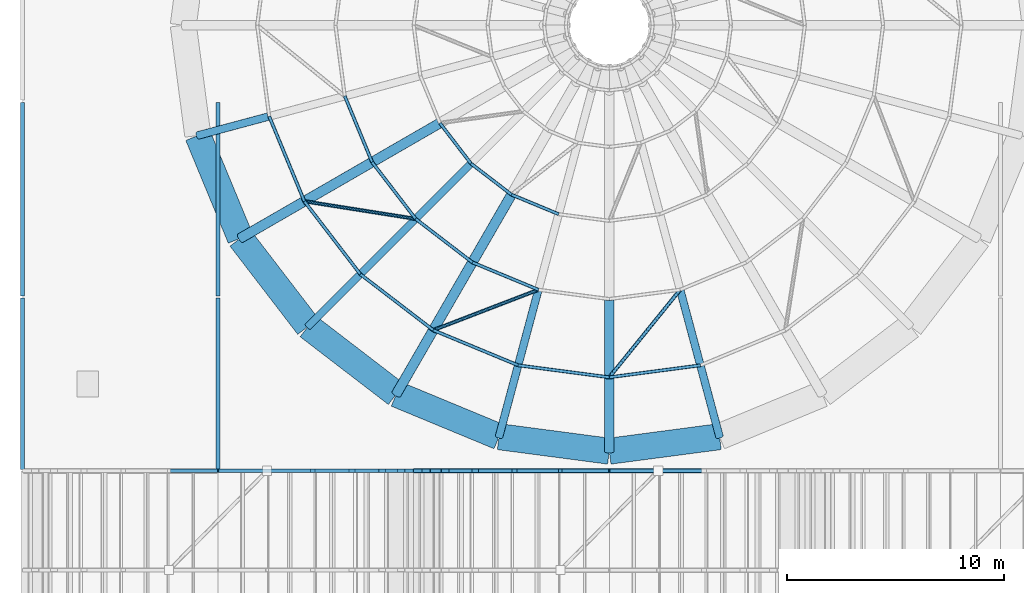
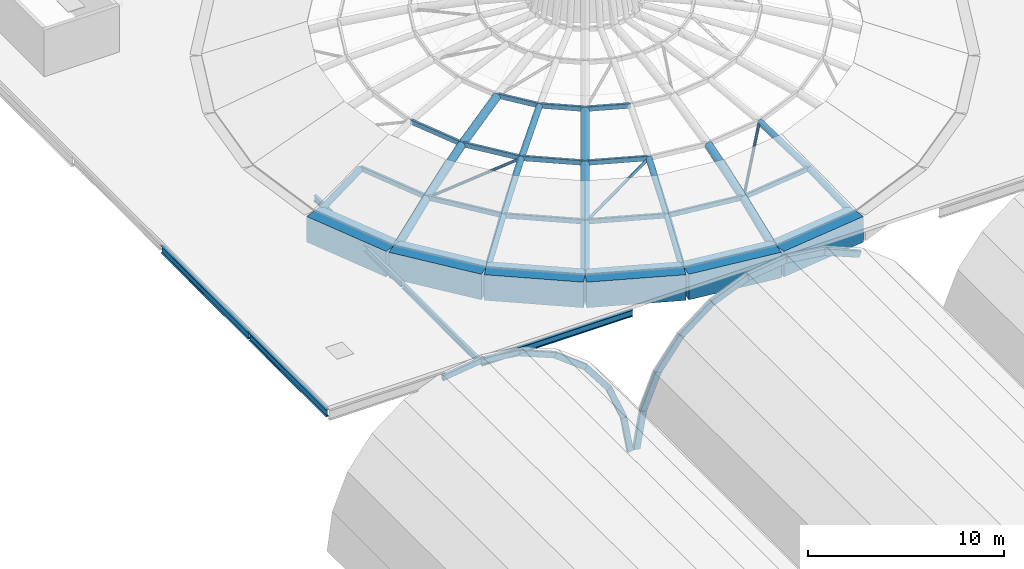
# One storey, part 7 of 25: 47 members, 11 beams.
"""IFC4 building model written with IfcOpenShell, lengths in metres."""

from ifc_helpers import new_model, si_unit, direction, frame, origin, origin_2d, place, context, subcontext, project, spatial, rectangle, hollow_rectangle, hollow_circle, i_section, extrude, material, material_profile, profile_set, type_object, element, save


model = new_model("IFC4")

# Units and contexts
model_context = context("Model", 3, precision=1e-05, world=origin(), true_north=direction((0.0, 1.0)))
body_context = subcontext(model_context, "Body", "Model", "MODEL_VIEW")
ifc_project = project(units=[si_unit("LENGTHUNIT", "METRE"), si_unit("AREAUNIT", "SQUARE_METRE"), si_unit("VOLUMEUNIT", "CUBIC_METRE"), si_unit("PLANEANGLEUNIT", "RADIAN"), si_unit("MASSUNIT", "GRAM", prefix="KILO")], contexts=[model_context])

# Site, building, storey
site_placement = place(None, origin())
site = spatial("IfcSite", under=ifc_project, at=site_placement, CompositionType="ELEMENT")
building_placement = place(site_placement, origin())
building = spatial("IfcBuilding", under=site, at=building_placement, Name="Marnock Terrace Opera House", CompositionType="ELEMENT")
storey_placement = place(building_placement, frame((0.0, 0.0, 28.199951171875)))
storey = spatial("IfcBuildingStorey", under=building, at=storey_placement, Name="RF", CompositionType="ELEMENT", Elevation=28.199951171875)

# Beams
ifc_material_1 = material(Name="Steel Grade 350 (AS/NZS 3679.1)", Category="steel")
ifc_material_profile_1 = material_profile(ifc_material_1, i_section(OverallWidth=0.1708984375, OverallDepth=0.355712890625, WebThickness=0.00732421875, FlangeThickness=0.011474609375, FilletRadius=0.011474609375, at=origin_2d()))
ifc_profile_set_1 = profile_set([ifc_material_profile_1], Name="Steel Grade 350 (AS/NZS 3679.1)")
beam_type_1 = type_object("IfcBeamType", Name="BM-GIRD-360", PredefinedType="BEAM", material=ifc_profile_set_1)
beam_1_placement = place(storey_placement, frame((64.0, 40.050048828125, -0.397705078125), z_axis=(0.0, 1.0, 0.0), x_axis=(-1.0, 0.0, 0.0)))
element("IfcBeam", 1, at=beam_1_placement, inside=storey, type_object=beam_type_1, Name="RF girder (X=64.0, 40.0..48.0)", PredefinedType="BEAM", context=body_context, shape_type="SweptSolid", body=[
    extrude(i_section(OverallWidth=0.1708984375, OverallDepth=0.355712890625, WebThickness=0.00732421875, FlangeThickness=0.011474609375, FilletRadius=0.011474609375, at=origin_2d()), origin(), (0.0, 0.0, 1.0), 7.89990234375),
])
beam_2_placement = place(storey_placement, frame((64.0, 48.050048828125, -0.397705078125), z_axis=(0.0, 1.0, 0.0), x_axis=(-1.0, 0.0, 0.0)))
element("IfcBeam", 2, at=beam_2_placement, inside=storey, type_object=beam_type_1, Name="RF girder (X=64.0, 48.0..57.0)", PredefinedType="BEAM", context=body_context, shape_type="SweptSolid", body=[
    extrude(i_section(OverallWidth=0.1708984375, OverallDepth=0.355712890625, WebThickness=0.00732421875, FlangeThickness=0.011474609375, FilletRadius=0.011474609375, at=origin_2d()), origin(), (0.0, 0.0, 1.0), 8.89990234375),
])
ifc_material_profile_2 = material_profile(ifc_material_1, i_section(OverallWidth=0.177978515625, OverallDepth=0.402587890625, WebThickness=0.007568359375, FlangeThickness=0.010986328125, FilletRadius=0.011474609375, at=origin_2d()))
ifc_profile_set_2 = profile_set([ifc_material_profile_2], Name="Steel Grade 350 (AS/NZS 3679.1)")
beam_type_2 = type_object("IfcBeamType", Name="BM-GIRD-410", PredefinedType="BEAM", material=ifc_profile_set_2)
beam_3_placement = place(storey_placement, frame((64.050048828125, 40.0, -0.421142578125), z_axis=(1.0, 0.0, 0.0), x_axis=(0.0, 1.0, 0.0)))
element("IfcBeam", 3, at=beam_3_placement, inside=storey, type_object=beam_type_2, Name="RF girder (64.0..73.0, Y=40.0)", PredefinedType="BEAM", context=body_context, shape_type="SweptSolid", body=[
    extrude(i_section(OverallWidth=0.177978515625, OverallDepth=0.402587890625, WebThickness=0.007568359375, FlangeThickness=0.010986328125, FilletRadius=0.011474609375, at=origin_2d()), origin(), (0.0, 0.0, 1.0), 8.89990234375),
])
ifc_material_profile_3 = material_profile(ifc_material_1, i_section(OverallWidth=0.18994140625, OverallDepth=0.45751953125, WebThickness=0.009033203125, FlangeThickness=0.014404296875, FilletRadius=0.011474609375, at=origin_2d()))
ifc_profile_set_3 = profile_set([ifc_material_profile_3], Name="Steel Grade 350 (AS/NZS 3679.1)")
beam_type_3 = type_object("IfcBeamType", Name="BM-GIRD-460B", PredefinedType="BEAM", material=ifc_profile_set_3)
beam_4_placement = place(storey_placement, frame((55.0, 40.050048828125, -0.44873046875), z_axis=(0.0, 1.0, 0.0), x_axis=(-1.0, 0.0, 0.0)))
element("IfcBeam", 4, at=beam_4_placement, inside=storey, type_object=beam_type_3, Name="RF girder (X=55.0, 40.0..48.0)", PredefinedType="BEAM", context=body_context, shape_type="SweptSolid", body=[
    extrude(i_section(OverallWidth=0.18994140625, OverallDepth=0.45751953125, WebThickness=0.009033203125, FlangeThickness=0.014404296875, FilletRadius=0.011474609375, at=origin_2d()), origin(), (0.0, 0.0, 1.0), 7.89990234375),
])
beam_5_placement = place(storey_placement, frame((55.0, 48.050048828125, -0.44873046875), z_axis=(0.0, 1.0, 0.0), x_axis=(-1.0, 0.0, 0.0)))
element("IfcBeam", 5, at=beam_5_placement, inside=storey, type_object=beam_type_3, Name="RF girder (X=55.0, 48.0..57.0)", PredefinedType="BEAM", context=body_context, shape_type="SweptSolid", body=[
    extrude(i_section(OverallWidth=0.18994140625, OverallDepth=0.45751953125, WebThickness=0.009033203125, FlangeThickness=0.014404296875, FilletRadius=0.011474609375, at=origin_2d()), origin(), (0.0, 0.0, 1.0), 8.89990234375),
])
ifc_material_2 = material(Name="Concrete N50 (f'c = 50 MPa)", Category="concrete")
ifc_material_profile_4 = material_profile(ifc_material_2, rectangle(XDim=1.199951171875, YDim=1.60009765625, at=origin_2d()))
ifc_profile_set_4 = profile_set([ifc_material_profile_4], Name="Concrete N50 (f'c = 50 MPa)")
beam_type_4 = type_object("IfcBeamType", Name="BM-RING-RC1200", PredefinedType="BEAM", material=ifc_profile_set_4)
for number, where, z_axis, x_axis, name in (
    (6, (63.068115234375, 55.427001953125, -0.800048828125), (0.382642581018, -0.923896452635, 0.0), (0.923896452635, 0.382642581018, 0.0), "Auditorium drum Concrete N50 ring beam segment 14"),
    (7, (65.02587890625, 50.699951171875, -0.800048828125), (0.608857194409, -0.793279847731, 0.0), (0.793279847731, 0.608857194409, 0.0), "Auditorium drum Concrete N50 ring beam segment 15"),
    (8, (68.14111328125, 46.64111328125, -0.800048828125), (0.793279847731, -0.608857194409, 0.0), (0.608857194409, 0.793279847731, 0.0), "Auditorium drum Concrete N50 ring beam segment 16"),
    (9, (72.199951171875, 43.52587890625, -0.800048828125), (0.923896452635, -0.382642581018, 0.0), (0.382642581018, 0.923896452635, 0.0), "Auditorium drum Concrete N50 ring beam segment 17"),
):
    element("IfcBeam", number, at=place(storey_placement, frame(where, z_axis=z_axis, x_axis=x_axis)), inside=storey, type_object=beam_type_4, Name=name, PredefinedType="BEAM", context=body_context, shape_type="SweptSolid", body=[
        extrude(rectangle(XDim=1.199951171875, YDim=1.60009765625, at=origin_2d()), origin(), (0.0, 0.0, 1.0), 5.116455078125),
    ])
for number, where, z_axis, x_axis, name in (
    (10, (76.927001953125, 41.568115234375, -0.800048828125), (0.99143625958, -0.130591512704, 0.0), (0.130591512704, 0.99143625958, 0.0), "Auditorium drum Concrete N50 ring beam segment 18"),
    (11, (82.0, 40.89990234375, -0.800048828125), (0.99143625958, 0.130591512704, 0.0), (-0.130591512704, 0.99143625958, 0.0), "Auditorium drum Concrete N50 ring beam segment 19"),
):
    element("IfcBeam", number, at=place(storey_placement, frame(where, z_axis=z_axis, x_axis=x_axis)), inside=storey, type_object=beam_type_4, Name=name, PredefinedType="BEAM", context=body_context, shape_type="SweptSolid", body=[
        extrude(rectangle(XDim=1.199951171875, YDim=1.60009765625, at=origin_2d()), origin(), (0.0, 0.0, 1.0), 5.11669921875),
    ])

# Members
ifc_material_3 = material(Name="Cold-formed Steel Grade C350L0 (AS/NZS 1163)", Category="steel")
ifc_material_profile_5 = material_profile(ifc_material_3, hollow_circle(Radius=0.084228515625, WallThickness=0.007080078125, at=origin_2d()))
ifc_profile_set_5 = profile_set([ifc_material_profile_5], Name="Cold-formed Steel Grade C350L0 (AS/NZS 1163)")
member_type_1 = type_object("IfcMemberType", Name="MEM-BRACE-CHS2", PredefinedType="BRACE", material=ifc_profile_set_5)
for number, where, z_axis, x_axis, name in (
    (12, (67.970458984375, 52.39990234375, 0.932861328125), (0.962459526729, -0.15213395628, 0.224781936006), (0.156129450469, 0.987736601881, 0.0), "Auditorium dome diagonal shell brace 1.15"),
    (13, (73.89990234375, 46.470458984375, 0.932861328125), (0.9095995061, 0.349429396541, 0.224783974817), (-0.358606634093, 0.933488769073, 0.0), "Auditorium dome diagonal shell brace 1.17"),
    (14, (82.0, 44.300048828125, 0.932861328125), (0.613030606915, 0.757408080291, 0.224780948695), (-0.777299707491, 0.629130483075, 0.0), "Auditorium dome diagonal shell brace 1.19"),
):
    element("IfcMember", number, at=place(storey_placement, frame(where, z_axis=z_axis, x_axis=x_axis)), inside=storey, type_object=member_type_1, Name=name, PredefinedType="BRACE", context=body_context, shape_type="SweptSolid", body=[
        extrude(hollow_circle(Radius=0.084228515625, WallThickness=0.007080078125, at=origin_2d()), origin(), (0.0, 0.0, 1.0), 5.31982421875),
    ])
ifc_material_profile_6 = material_profile(ifc_material_3, hollow_circle(Radius=0.228515625, WallThickness=0.0126953125, at=origin_2d()))
ifc_profile_set_6 = profile_set([ifc_material_profile_6], Name="Cold-formed Steel Grade C350L0 (AS/NZS 1163)")
member_type_2 = type_object("IfcMemberType", Name="MEM-DOME-RIB1", PredefinedType="RAFTER", material=ifc_profile_set_6)
member_1_placement = place(storey_placement, frame((65.02587890625, 50.699951171875, -0.447509765625), z_axis=(0.802429941568, 0.463255093536, 0.376166063313), x_axis=(-0.499977295307, 0.866038511948, 0.0)))
element("IfcMember", 15, at=member_1_placement, inside=storey, type_object=member_type_2, Name="Auditorium dome meridian steel rib 15.1", PredefinedType="RAFTER", context=body_context, shape_type="SweptSolid", body=[
    extrude(hollow_circle(Radius=0.228515625, WallThickness=0.0126953125, at=origin_2d()), origin(), (0.0, 0.0, 1.0), 3.669677734375),
])
member_2_placement = place(storey_placement, frame((67.970458984375, 52.39990234375, 0.932861328125), z_axis=(0.825393435403, 0.476556444732, 0.302687349882), x_axis=(-0.500012057535, 0.866018442252, 0.0)))
element("IfcMember", 16, at=member_2_placement, inside=storey, type_object=member_type_2, Name="Auditorium dome meridian steel rib 15.2", PredefinedType="RAFTER", context=body_context, shape_type="SweptSolid", body=[
    extrude(hollow_circle(Radius=0.228515625, WallThickness=0.0126953125, at=origin_2d()), origin(), (0.0, 0.0, 1.0), 3.777099609375),
])
member_3_placement = place(storey_placement, frame((71.088134765625, 54.199951171875, 2.076171875), z_axis=(0.843410626592, 0.486959009386, 0.227000965043), x_axis=(-0.500012057535, 0.866018442252, 0.0)))
element("IfcMember", 17, at=member_3_placement, inside=storey, type_object=member_type_2, Name="Auditorium dome meridian steel rib 15.3", PredefinedType="RAFTER", context=body_context, shape_type="SweptSolid", body=[
    extrude(hollow_circle(Radius=0.228515625, WallThickness=0.0126953125, at=origin_2d()), origin(), (0.0, 0.0, 1.0), 3.696533203125),
])
member_4_placement = place(storey_placement, frame((72.199951171875, 43.52587890625, -0.447509765625), z_axis=(0.463255093536, 0.802429941568, 0.376166063313), x_axis=(-0.866038511948, 0.499977295307, 0.0)))
element("IfcMember", 18, at=member_4_placement, inside=storey, type_object=member_type_2, Name="Auditorium dome meridian steel rib 17.1", PredefinedType="RAFTER", context=body_context, shape_type="SweptSolid", body=[
    extrude(hollow_circle(Radius=0.228515625, WallThickness=0.0126953125, at=origin_2d()), origin(), (0.0, 0.0, 1.0), 3.669677734375),
])
member_5_placement = place(storey_placement, frame((73.89990234375, 46.470458984375, 0.932861328125), z_axis=(0.476556444732, 0.825393435403, 0.302687349882), x_axis=(-0.866018442252, 0.500012057535, 0.0)))
element("IfcMember", 19, at=member_5_placement, inside=storey, type_object=member_type_2, Name="Auditorium dome meridian steel rib 17.2", PredefinedType="RAFTER", context=body_context, shape_type="SweptSolid", body=[
    extrude(hollow_circle(Radius=0.228515625, WallThickness=0.0126953125, at=origin_2d()), origin(), (0.0, 0.0, 1.0), 3.777099609375),
])
member_6_placement = place(storey_placement, frame((75.699951171875, 49.588134765625, 2.076171875), z_axis=(0.486959009386, 0.843410626592, 0.227000965043), x_axis=(-0.866018442252, 0.500012057535, 0.0)))
element("IfcMember", 20, at=member_6_placement, inside=storey, type_object=member_type_2, Name="Auditorium dome meridian steel rib 17.3", PredefinedType="RAFTER", context=body_context, shape_type="SweptSolid", body=[
    extrude(hollow_circle(Radius=0.228515625, WallThickness=0.0126953125, at=origin_2d()), origin(), (0.0, 0.0, 1.0), 3.696533203125),
])
member_7_placement = place(storey_placement, frame((82.0, 40.89990234375, -0.447509765625), z_axis=(0.0, 0.926555721782, 0.376157539381), x_axis=(-1.0, 0.0, 0.0)))
element("IfcMember", 21, at=member_7_placement, inside=storey, type_object=member_type_2, Name="Auditorium dome meridian steel rib 19.1", PredefinedType="RAFTER", context=body_context, shape_type="SweptSolid", body=[
    extrude(hollow_circle(Radius=0.228515625, WallThickness=0.0126953125, at=origin_2d()), origin(), (0.0, 0.0, 1.0), 3.669677734375),
])
member_8_placement = place(storey_placement, frame((82.0, 44.300048828125, 0.932861328125), z_axis=(0.0, 0.95308608931, 0.30269936631), x_axis=(-1.0, 0.0, 0.0)))
element("IfcMember", 22, at=member_8_placement, inside=storey, type_object=member_type_2, Name="Auditorium dome meridian steel rib 19.2", PredefinedType="RAFTER", context=body_context, shape_type="SweptSolid", body=[
    extrude(hollow_circle(Radius=0.228515625, WallThickness=0.0126953125, at=origin_2d()), origin(), (0.0, 0.0, 1.0), 3.777099609375),
])
ifc_material_profile_7 = material_profile(ifc_material_3, hollow_circle(Radius=0.177734375, WallThickness=0.0126953125, at=origin_2d()))
ifc_profile_set_7 = profile_set([ifc_material_profile_7], Name="Cold-formed Steel Grade C350L0 (AS/NZS 1163)")
member_type_3 = type_object("IfcMemberType", Name="MEM-DOME-RIB2", PredefinedType="RAFTER", material=ifc_profile_set_7)
member_9_placement = place(storey_placement, frame((63.06787109375, 55.42724609375, -0.39208984375), z_axis=(0.895120689773, 0.239816753341, 0.375828252739), x_axis=(-0.258788726886, 0.965933949521, 0.0)))
element("IfcMember", 23, at=member_9_placement, inside=storey, type_object=member_type_3, Name="Auditorium dome meridian steel rib 14.1", PredefinedType="RAFTER", context=body_context, shape_type="SweptSolid", body=[
    extrude(hollow_circle(Radius=0.177734375, WallThickness=0.0126953125, at=origin_2d()), origin(), (0.0, 0.0, 1.0), 3.6689453125),
])
member_10_placement = place(storey_placement, frame((68.140625, 46.640625, -0.39208984375), z_axis=(0.655273344477, 0.655273344477, 0.375810707718), x_axis=(-0.707106781187, 0.707106781187, 0.0)))
element("IfcMember", 24, at=member_10_placement, inside=storey, type_object=member_type_3, Name="Auditorium dome meridian steel rib 16.1", PredefinedType="RAFTER", context=body_context, shape_type="SweptSolid", body=[
    extrude(hollow_circle(Radius=0.177734375, WallThickness=0.0126953125, at=origin_2d()), origin(), (0.0, 0.0, 1.0), 3.669189453125),
])
member_11_placement = place(storey_placement, frame((70.544921875, 49.044921875, 0.98681640625), z_axis=(0.674016914939, 0.674016914939, 0.302328293006), x_axis=(-0.707106781187, 0.707106781187, 0.0)))
element("IfcMember", 25, at=member_11_placement, inside=storey, type_object=member_type_3, Name="Auditorium dome meridian steel rib 16.2", PredefinedType="RAFTER", context=body_context, shape_type="SweptSolid", body=[
    extrude(hollow_circle(Radius=0.177734375, WallThickness=0.0126953125, at=origin_2d()), origin(), (0.0, 0.0, 1.0), 3.77685546875),
])
member_12_placement = place(storey_placement, frame((73.090576171875, 51.590576171875, 2.128662109375), z_axis=(0.688686175837, 0.688686175837, 0.226765743492), x_axis=(-0.707106781187, 0.707106781187, 0.0)))
element("IfcMember", 26, at=member_12_placement, inside=storey, type_object=member_type_3, Name="Auditorium dome meridian steel rib 16.3", PredefinedType="RAFTER", context=body_context, shape_type="SweptSolid", body=[
    extrude(hollow_circle(Radius=0.177734375, WallThickness=0.0126953125, at=origin_2d()), origin(), (0.0, 0.0, 1.0), 3.696044921875),
])
member_13_placement = place(storey_placement, frame((76.92724609375, 41.56787109375, -0.39208984375), z_axis=(0.239816753341, 0.895120689773, 0.375828252739), x_axis=(-0.965933949521, 0.258788726886, 0.0)))
element("IfcMember", 27, at=member_13_placement, inside=storey, type_object=member_type_3, Name="Auditorium dome meridian steel rib 18.1", PredefinedType="RAFTER", context=body_context, shape_type="SweptSolid", body=[
    extrude(hollow_circle(Radius=0.177734375, WallThickness=0.0126953125, at=origin_2d()), origin(), (0.0, 0.0, 1.0), 3.6689453125),
])
member_14_placement = place(storey_placement, frame((77.80712890625, 44.85205078125, 0.98681640625), z_axis=(0.246682142546, 0.920726875338, 0.302340770621), x_axis=(-0.96593261366, 0.258793712962, 0.0)))
element("IfcMember", 28, at=member_14_placement, inside=storey, type_object=member_type_3, Name="Auditorium dome meridian steel rib 18.2", PredefinedType="RAFTER", context=body_context, shape_type="SweptSolid", body=[
    extrude(hollow_circle(Radius=0.177734375, WallThickness=0.0126953125, at=origin_2d()), origin(), (0.0, 0.0, 1.0), 3.776611328125),
])
member_15_placement = place(storey_placement, frame((87.07275390625, 41.56787109375, -0.39208984375), z_axis=(-0.239816753341, 0.895120689773, 0.375828252739), x_axis=(-0.965933949521, -0.258788726886, 0.0)))
element("IfcMember", 29, at=member_15_placement, inside=storey, type_object=member_type_3, Name="Auditorium dome meridian steel rib 20.1", PredefinedType="RAFTER", context=body_context, shape_type="SweptSolid", body=[
    extrude(hollow_circle(Radius=0.177734375, WallThickness=0.0126953125, at=origin_2d()), origin(), (0.0, 0.0, 1.0), 3.6689453125),
])
member_16_placement = place(storey_placement, frame((86.19287109375, 44.85205078125, 0.98681640625), z_axis=(-0.246682142546, 0.920726875338, 0.302340770621), x_axis=(-0.96593261366, -0.258793712962, 0.0)))
element("IfcMember", 30, at=member_16_placement, inside=storey, type_object=member_type_3, Name="Auditorium dome meridian steel rib 20.2", PredefinedType="RAFTER", context=body_context, shape_type="SweptSolid", body=[
    extrude(hollow_circle(Radius=0.177734375, WallThickness=0.0126953125, at=origin_2d()), origin(), (0.0, 0.0, 1.0), 3.776611328125),
])
ifc_material_profile_8 = material_profile(ifc_material_3, hollow_rectangle(XDim=0.14990234375, YDim=0.300048828125, WallThickness=0.010009765625, InnerFilletRadius=0.010009765625, OuterFilletRadius=0.02001953125, at=origin_2d()))
ifc_profile_set_8 = profile_set([ifc_material_profile_8], Name="Cold-formed Steel Grade C350L0 (AS/NZS 1163)")
member_type_4 = type_object("IfcMemberType", Name="MEM-DOME-RING1", PredefinedType="PURLIN", material=ifc_profile_set_8)
member_17_placement = place(storey_placement, frame((66.35205078125, 56.30712890625, 1.000732421875), z_axis=(0.382679793365, -0.923881039826, 0.0), x_axis=(0.923881039826, 0.382679793365, 0.0)))
element("IfcMember", 31, at=member_17_placement, inside=storey, type_object=member_type_4, Name="Auditorium dome latitude purlin ring 1.14", PredefinedType="PURLIN", context=body_context, shape_type="SweptSolid", body=[
    extrude(hollow_rectangle(XDim=0.14990234375, YDim=0.300048828125, WallThickness=0.010009765625, InnerFilletRadius=0.010009765625, OuterFilletRadius=0.02001953125, at=origin_2d()), origin(), (0.0, 0.0, 1.0), 4.229248046875),
])
member_18_placement = place(storey_placement, frame((69.829345703125, 57.23876953125, 2.14453125), z_axis=(0.382701411628, -0.923872085052, 0.0), x_axis=(0.923872085052, 0.382701411628, 0.0)))
element("IfcMember", 32, at=member_18_placement, inside=storey, type_object=member_type_4, Name="Auditorium dome latitude purlin ring 2.14", PredefinedType="PURLIN", context=body_context, shape_type="SweptSolid", body=[
    extrude(hollow_rectangle(XDim=0.14990234375, YDim=0.300048828125, WallThickness=0.010009765625, InnerFilletRadius=0.010009765625, OuterFilletRadius=0.02001953125, at=origin_2d()), origin(), (0.0, 0.0, 1.0), 3.289306640625),
])
member_19_placement = place(storey_placement, frame((67.970458984375, 52.39990234375, 1.000732421875), z_axis=(0.608775692151, -0.793342395594, 0.0), x_axis=(0.793342395594, 0.608775692151, 0.0)))
element("IfcMember", 33, at=member_19_placement, inside=storey, type_object=member_type_4, Name="Auditorium dome latitude purlin ring 1.15", PredefinedType="PURLIN", context=body_context, shape_type="SweptSolid", body=[
    extrude(hollow_rectangle(XDim=0.14990234375, YDim=0.300048828125, WallThickness=0.010009765625, InnerFilletRadius=0.010009765625, OuterFilletRadius=0.02001953125, at=origin_2d()), origin(), (0.0, 0.0, 1.0), 4.22900390625),
])
member_20_placement = place(storey_placement, frame((71.088134765625, 54.199951171875, 2.14453125), z_axis=(0.608799230599, -0.79332433268, 0.0), x_axis=(0.79332433268, 0.608799230599, 0.0)))
element("IfcMember", 34, at=member_20_placement, inside=storey, type_object=member_type_4, Name="Auditorium dome latitude purlin ring 2.15", PredefinedType="PURLIN", context=body_context, shape_type="SweptSolid", body=[
    extrude(hollow_rectangle(XDim=0.14990234375, YDim=0.300048828125, WallThickness=0.010009765625, InnerFilletRadius=0.010009765625, OuterFilletRadius=0.02001953125, at=origin_2d()), origin(), (0.0, 0.0, 1.0), 3.2890625),
])
member_21_placement = place(storey_placement, frame((74.205810546875, 56.0, 2.985595703125), z_axis=(0.608726008534, -0.793380518121, 0.0), x_axis=(0.793380518121, 0.608726008534, 0.0)))
element("IfcMember", 35, at=member_21_placement, inside=storey, type_object=member_type_4, Name="Auditorium dome latitude purlin ring 3.15", PredefinedType="PURLIN", context=body_context, shape_type="SweptSolid", body=[
    extrude(hollow_rectangle(XDim=0.14990234375, YDim=0.300048828125, WallThickness=0.010009765625, InnerFilletRadius=0.010009765625, OuterFilletRadius=0.02001953125, at=origin_2d()), origin(), (0.0, 0.0, 1.0), 2.349365234375),
])
member_22_placement = place(storey_placement, frame((70.544921875, 49.044921875, 1.000732421875), z_axis=(0.793342395594, -0.608775692151, 0.0), x_axis=(0.608775692151, 0.793342395594, 0.0)))
element("IfcMember", 36, at=member_22_placement, inside=storey, type_object=member_type_4, Name="Auditorium dome latitude purlin ring 1.16", PredefinedType="PURLIN", context=body_context, shape_type="SweptSolid", body=[
    extrude(hollow_rectangle(XDim=0.14990234375, YDim=0.300048828125, WallThickness=0.010009765625, InnerFilletRadius=0.010009765625, OuterFilletRadius=0.02001953125, at=origin_2d()), origin(), (0.0, 0.0, 1.0), 4.22900390625),
])
member_23_placement = place(storey_placement, frame((73.090576171875, 51.590576171875, 2.14453125), z_axis=(0.79332433268, -0.608799230599, 0.0), x_axis=(0.608799230599, 0.79332433268, 0.0)))
element("IfcMember", 37, at=member_23_placement, inside=storey, type_object=member_type_4, Name="Auditorium dome latitude purlin ring 2.16", PredefinedType="PURLIN", context=body_context, shape_type="SweptSolid", body=[
    extrude(hollow_rectangle(XDim=0.14990234375, YDim=0.300048828125, WallThickness=0.010009765625, InnerFilletRadius=0.010009765625, OuterFilletRadius=0.02001953125, at=origin_2d()), origin(), (0.0, 0.0, 1.0), 3.2890625),
])
member_24_placement = place(storey_placement, frame((75.635986328125, 54.135986328125, 2.985595703125), z_axis=(0.793380518121, -0.608726008534, 0.0), x_axis=(0.608726008534, 0.793380518121, 0.0)))
element("IfcMember", 38, at=member_24_placement, inside=storey, type_object=member_type_4, Name="Auditorium dome latitude purlin ring 3.16", PredefinedType="PURLIN", context=body_context, shape_type="SweptSolid", body=[
    extrude(hollow_rectangle(XDim=0.14990234375, YDim=0.300048828125, WallThickness=0.010009765625, InnerFilletRadius=0.010009765625, OuterFilletRadius=0.02001953125, at=origin_2d()), origin(), (0.0, 0.0, 1.0), 2.349365234375),
])
member_25_placement = place(storey_placement, frame((73.89990234375, 46.470458984375, 1.000732421875), z_axis=(0.923881039826, -0.382679793365, 0.0), x_axis=(0.382679793365, 0.923881039826, 0.0)))
element("IfcMember", 39, at=member_25_placement, inside=storey, type_object=member_type_4, Name="Auditorium dome latitude purlin ring 1.17", PredefinedType="PURLIN", context=body_context, shape_type="SweptSolid", body=[
    extrude(hollow_rectangle(XDim=0.14990234375, YDim=0.300048828125, WallThickness=0.010009765625, InnerFilletRadius=0.010009765625, OuterFilletRadius=0.02001953125, at=origin_2d()), origin(), (0.0, 0.0, 1.0), 4.229248046875),
])
member_26_placement = place(storey_placement, frame((75.699951171875, 49.588134765625, 2.14453125), z_axis=(0.923872085052, -0.382701411628, 0.0), x_axis=(0.382701411628, 0.923872085052, 0.0)))
element("IfcMember", 40, at=member_26_placement, inside=storey, type_object=member_type_4, Name="Auditorium dome latitude purlin ring 2.17", PredefinedType="PURLIN", context=body_context, shape_type="SweptSolid", body=[
    extrude(hollow_rectangle(XDim=0.14990234375, YDim=0.300048828125, WallThickness=0.010009765625, InnerFilletRadius=0.010009765625, OuterFilletRadius=0.02001953125, at=origin_2d()), origin(), (0.0, 0.0, 1.0), 3.289306640625),
])
member_27_placement = place(storey_placement, frame((77.5, 52.705810546875, 2.985595703125), z_axis=(0.92387118479, -0.382703584926, 0.0), x_axis=(0.382703584926, 0.92387118479, 0.0)))
element("IfcMember", 41, at=member_27_placement, inside=storey, type_object=member_type_4, Name="Auditorium dome latitude purlin ring 3.17", PredefinedType="PURLIN", context=body_context, shape_type="SweptSolid", body=[
    extrude(hollow_rectangle(XDim=0.14990234375, YDim=0.300048828125, WallThickness=0.010009765625, InnerFilletRadius=0.010009765625, OuterFilletRadius=0.02001953125, at=origin_2d()), origin(), (0.0, 0.0, 1.0), 2.349609375),
])
for number, where, z_axis, x_axis, name in (
    (42, (77.80712890625, 44.85205078125, 1.000732421875), (0.991444861326, -0.130526192585, 0.0), (0.130526192585, 0.991444861326, 0.0), "Auditorium dome latitude purlin ring 1.18"),
    (43, (82.0, 44.300048828125, 1.000732421875), (0.991444861326, 0.130526192585, 0.0), (-0.130526192585, 0.991444861326, 0.0), "Auditorium dome latitude purlin ring 1.19"),
):
    element("IfcMember", number, at=place(storey_placement, frame(where, z_axis=z_axis, x_axis=x_axis)), inside=storey, type_object=member_type_4, Name=name, PredefinedType="PURLIN", context=body_context, shape_type="SweptSolid", body=[
        extrude(hollow_rectangle(XDim=0.14990234375, YDim=0.300048828125, WallThickness=0.010009765625, InnerFilletRadius=0.010009765625, OuterFilletRadius=0.02001953125, at=origin_2d()), origin(), (0.0, 0.0, 1.0), 4.22900390625),
    ])
ifc_material_profile_9 = material_profile(ifc_material_3, hollow_rectangle(XDim=0.199951171875, YDim=0.39990234375, WallThickness=0.012451171875, InnerFilletRadius=0.012451171875, OuterFilletRadius=0.02490234375, at=origin_2d()))
ifc_profile_set_9 = profile_set([ifc_material_profile_9], Name="Cold-formed Steel Grade C350L0 (AS/NZS 1163)")
member_type_5 = type_object("IfcMemberType", Name="MEM-VAULT-ARCH1", PredefinedType="CHORD", material=ifc_profile_set_9)
member_28_placement = place(storey_placement, frame((73.179931640625, 40.0, -9.0), z_axis=(0.173341635248, 0.0, 0.984861755522), x_axis=(0.0, 1.0, 0.0)))
element("IfcMember", 44, at=member_28_placement, inside=storey, type_object=member_type_5, Name="Barrel vault 2 station 8 arch chord 1", PredefinedType="CHORD", context=body_context, shape_type="SweptSolid", body=[
    extrude(hollow_rectangle(XDim=0.199951171875, YDim=0.39990234375, WallThickness=0.012451171875, InnerFilletRadius=0.012451171875, OuterFilletRadius=0.02490234375, at=origin_2d()), origin(), (0.0, 0.0, 1.0), 2.29150390625),
])
member_29_placement = place(storey_placement, frame((73.5771484375, 40.0, -6.7431640625), z_axis=(0.382642254796, 0.0, 0.923896587744), x_axis=(0.0, 1.0, 0.0)))
element("IfcMember", 45, at=member_29_placement, inside=storey, type_object=member_type_5, Name="Barrel vault 2 station 8 arch chord 2", PredefinedType="CHORD", context=body_context, shape_type="SweptSolid", body=[
    extrude(hollow_rectangle(XDim=0.199951171875, YDim=0.39990234375, WallThickness=0.012451171875, InnerFilletRadius=0.012451171875, OuterFilletRadius=0.02490234375, at=origin_2d()), origin(), (0.0, 0.0, 1.0), 2.276611328125),
])
for number, where, z_axis, x_axis, name in (
    (46, (74.4482421875, 40.0, -4.639892578125), (0.608766982702, 0.0, 0.793349078761), (0.0, 1.0, 0.0), "Barrel vault 2 station 8 arch chord 3"),
    (47, (75.833984375, 40.0, -2.833984375), (0.793349078761, 0.0, 0.608766982702), (0.0, 1.0, 0.0), "Barrel vault 2 station 8 arch chord 4"),
):
    element("IfcMember", number, at=place(storey_placement, frame(where, z_axis=z_axis, x_axis=x_axis)), inside=storey, type_object=member_type_5, Name=name, PredefinedType="CHORD", context=body_context, shape_type="SweptSolid", body=[
        extrude(hollow_rectangle(XDim=0.199951171875, YDim=0.39990234375, WallThickness=0.012451171875, InnerFilletRadius=0.012451171875, OuterFilletRadius=0.02490234375, at=origin_2d()), origin(), (0.0, 0.0, 1.0), 2.2763671875),
    ])
member_30_placement = place(storey_placement, frame((77.639892578125, 40.0, -1.4482421875), z_axis=(0.923896587744, 0.0, 0.382642254796), x_axis=(0.0, 1.0, 0.0)))
element("IfcMember", 48, at=member_30_placement, inside=storey, type_object=member_type_5, Name="Barrel vault 2 station 8 arch chord 5", PredefinedType="CHORD", context=body_context, shape_type="SweptSolid", body=[
    extrude(hollow_rectangle(XDim=0.199951171875, YDim=0.39990234375, WallThickness=0.012451171875, InnerFilletRadius=0.012451171875, OuterFilletRadius=0.02490234375, at=origin_2d()), origin(), (0.0, 0.0, 1.0), 2.276611328125),
])
for number, where, z_axis, x_axis, name in (
    (49, (79.7431640625, 40.0, -0.5771484375), (0.991444801521, 0.0, 0.130526646847), (0.0, 1.0, 0.0), "Barrel vault 2 station 8 arch chord 6"),
    (50, (82.0, 40.0, -0.280029296875), (0.991444801521, 0.0, -0.130526646847), (0.0, 1.0, 0.0), "Barrel vault 2 station 8 arch chord 7"),
):
    element("IfcMember", number, at=place(storey_placement, frame(where, z_axis=z_axis, x_axis=x_axis)), inside=storey, type_object=member_type_5, Name=name, PredefinedType="CHORD", context=body_context, shape_type="SweptSolid", body=[
        extrude(hollow_rectangle(XDim=0.199951171875, YDim=0.39990234375, WallThickness=0.012451171875, InnerFilletRadius=0.012451171875, OuterFilletRadius=0.02490234375, at=origin_2d()), origin(), (0.0, 0.0, 1.0), 2.2763671875),
    ])
member_31_placement = place(storey_placement, frame((84.2568359375, 40.0, -0.5771484375), z_axis=(0.923896587744, 0.0, -0.382642254796), x_axis=(0.0, 1.0, 0.0)))
element("IfcMember", 51, at=member_31_placement, inside=storey, type_object=member_type_5, Name="Barrel vault 2 station 8 arch chord 8", PredefinedType="CHORD", context=body_context, shape_type="SweptSolid", body=[
    extrude(hollow_rectangle(XDim=0.199951171875, YDim=0.39990234375, WallThickness=0.012451171875, InnerFilletRadius=0.012451171875, OuterFilletRadius=0.02490234375, at=origin_2d()), origin(), (0.0, 0.0, 1.0), 2.276611328125),
])
ifc_material_profile_10 = material_profile(ifc_material_3, hollow_rectangle(XDim=0.175048828125, YDim=0.35009765625, WallThickness=0.010009765625, InnerFilletRadius=0.010009765625, OuterFilletRadius=0.02001953125, at=origin_2d()))
ifc_profile_set_10 = profile_set([ifc_material_profile_10], Name="Cold-formed Steel Grade C350L0 (AS/NZS 1163)")
member_type_6 = type_object("IfcMemberType", Name="MEM-VAULT-ARCH2", PredefinedType="CHORD", material=ifc_profile_set_10)
for number, where, z_axis, x_axis, name in (
    (52, (61.7431640625, 40.0, -0.5771484375), (0.991444801521, 0.0, 0.130526646847), (0.0, 1.0, 0.0), "Barrel vault 1 station 8 arch chord 6"),
    (53, (64.0, 40.0, -0.280029296875), (0.991444801521, 0.0, -0.130526646847), (0.0, 1.0, 0.0), "Barrel vault 1 station 8 arch chord 7"),
):
    element("IfcMember", number, at=place(storey_placement, frame(where, z_axis=z_axis, x_axis=x_axis)), inside=storey, type_object=member_type_6, Name=name, PredefinedType="CHORD", context=body_context, shape_type="SweptSolid", body=[
        extrude(hollow_rectangle(XDim=0.175048828125, YDim=0.35009765625, WallThickness=0.010009765625, InnerFilletRadius=0.010009765625, OuterFilletRadius=0.02001953125, at=origin_2d()), origin(), (0.0, 0.0, 1.0), 2.2763671875),
    ])
member_32_placement = place(storey_placement, frame((66.2568359375, 40.0, -0.5771484375), z_axis=(0.923896587744, 0.0, -0.382642254796), x_axis=(0.0, 1.0, 0.0)))
element("IfcMember", 54, at=member_32_placement, inside=storey, type_object=member_type_6, Name="Barrel vault 1 station 8 arch chord 8", PredefinedType="CHORD", context=body_context, shape_type="SweptSolid", body=[
    extrude(hollow_rectangle(XDim=0.175048828125, YDim=0.35009765625, WallThickness=0.010009765625, InnerFilletRadius=0.010009765625, OuterFilletRadius=0.02001953125, at=origin_2d()), origin(), (0.0, 0.0, 1.0), 2.276611328125),
])
for number, where, z_axis, x_axis, name in (
    (55, (68.360107421875, 40.0, -1.4482421875), (0.793349078761, 0.0, -0.608766982702), (0.0, 1.0, 0.0), "Barrel vault 1 station 8 arch chord 9"),
    (56, (70.166015625, 40.0, -2.833984375), (0.608766982702, 0.0, -0.793349078761), (0.0, 1.0, 0.0), "Barrel vault 1 station 8 arch chord 10"),
):
    element("IfcMember", number, at=place(storey_placement, frame(where, z_axis=z_axis, x_axis=x_axis)), inside=storey, type_object=member_type_6, Name=name, PredefinedType="CHORD", context=body_context, shape_type="SweptSolid", body=[
        extrude(hollow_rectangle(XDim=0.175048828125, YDim=0.35009765625, WallThickness=0.010009765625, InnerFilletRadius=0.010009765625, OuterFilletRadius=0.02001953125, at=origin_2d()), origin(), (0.0, 0.0, 1.0), 2.2763671875),
    ])
member_33_placement = place(storey_placement, frame((71.5517578125, 40.0, -4.639892578125), z_axis=(0.382642254796, 0.0, -0.923896587744), x_axis=(0.0, 1.0, 0.0)))
element("IfcMember", 57, at=member_33_placement, inside=storey, type_object=member_type_6, Name="Barrel vault 1 station 8 arch chord 11", PredefinedType="CHORD", context=body_context, shape_type="SweptSolid", body=[
    extrude(hollow_rectangle(XDim=0.175048828125, YDim=0.35009765625, WallThickness=0.010009765625, InnerFilletRadius=0.010009765625, OuterFilletRadius=0.02001953125, at=origin_2d()), origin(), (0.0, 0.0, 1.0), 2.276611328125),
])
member_34_placement = place(storey_placement, frame((72.4228515625, 40.0, -6.7431640625), z_axis=(0.173341635248, 0.0, -0.984861755522), x_axis=(0.0, 1.0, 0.0)))
element("IfcMember", 58, at=member_34_placement, inside=storey, type_object=member_type_6, Name="Barrel vault 1 station 8 arch chord 12", PredefinedType="CHORD", context=body_context, shape_type="SweptSolid", body=[
    extrude(hollow_rectangle(XDim=0.175048828125, YDim=0.35009765625, WallThickness=0.010009765625, InnerFilletRadius=0.010009765625, OuterFilletRadius=0.02001953125, at=origin_2d()), origin(), (0.0, 0.0, 1.0), 2.29150390625),
])

save(model, "model.ifc")
